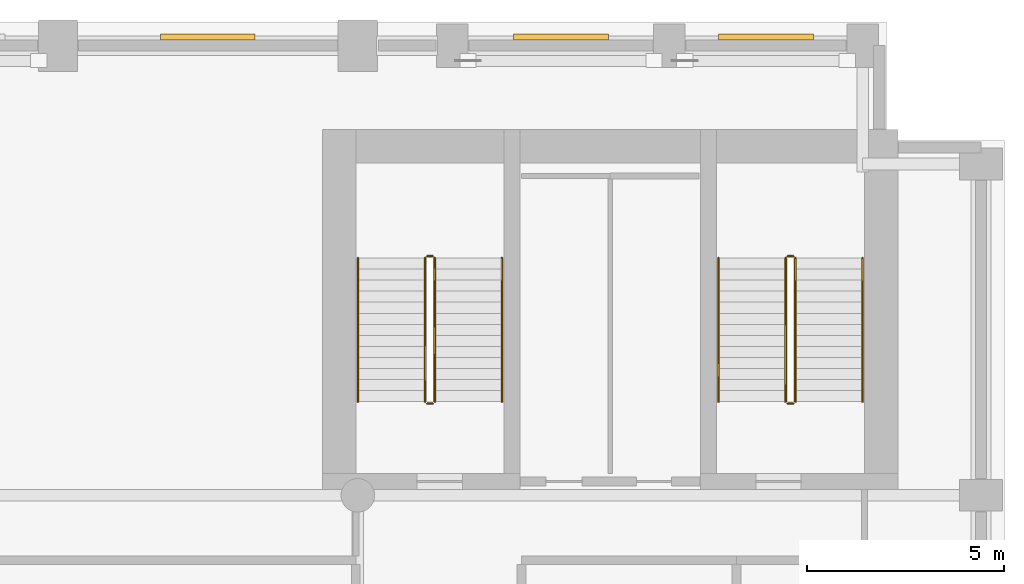
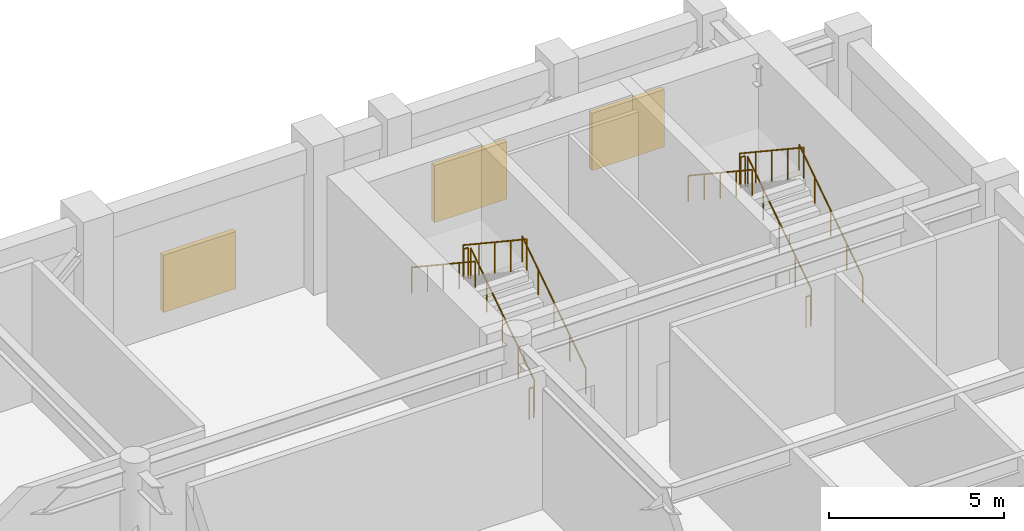
# One storey, part 11 of 11: 12 railings, 3 shading devices.
"""IFC4 building model written with IfcOpenShell, lengths in metres."""

from ifc_helpers import new_model, si_unit, direction, frame, origin, origin_2d, place, context, subcontext, project, spatial, rectangle, circle, extrude, material, type_object, element, save


model = new_model("IFC4")

# Units and contexts
model_context = context("Model", 3, precision=1e-05, world=origin(), true_north=direction((0.0, 1.0)))
body_context = subcontext(model_context, "Body", "Model", "MODEL_VIEW")
ifc_project = project(units=[si_unit("LENGTHUNIT", "METRE"), si_unit("AREAUNIT", "SQUARE_METRE"), si_unit("VOLUMEUNIT", "CUBIC_METRE"), si_unit("PLANEANGLEUNIT", "RADIAN"), si_unit("MASSUNIT", "GRAM", prefix="KILO")], contexts=[model_context])

# Site, building, storey
site_placement = place(None, origin())
site = spatial("IfcSite", under=ifc_project, at=site_placement, CompositionType="ELEMENT")
building_placement = place(site_placement, origin())
building = spatial("IfcBuilding", under=site, at=building_placement, Name="Sulina Concourse Tower", CompositionType="ELEMENT")
storey_placement = place(building_placement, frame((0.0, 0.0, 160.60009765625)))
storey = spatial("IfcBuildingStorey", under=building, at=storey_placement, Name="L39", CompositionType="ELEMENT", Elevation=160.60009765625)

# Railings
ifc_material_1 = material(Name="Galvanised steel railing", Category="steel")
railing_type_1 = type_object("IfcRailingType", Name="Core Stair Steel Guardrail 1150mm", PredefinedType="GUARDRAIL", material=ifc_material_1)
railing_1_placement = place(storey_placement, frame((43.554931640625, 36.375, 0.185546875)))
element("IfcRailing", 1, at=railing_1_placement, inside=storey, type_object=railing_type_1, Name="L39 ST-3 stair guard 1", PredefinedType="GUARDRAIL", context=body_context, shape_type="SweptSolid", body=[
    extrude(circle(Radius=0.02392578125, at=origin_2d()), frame((0.0, 0.0, 1.076171875), z_axis=(0.0, 0.833346510843, 0.552750932036), x_axis=(-1.0, 0.0, 0.0)), (0.0, 0.0, 1.0), 4.367919921875),
    extrude(circle(Radius=0.02099609375, at=origin_2d()), origin(), (0.0, 0.0, 1.0), 1.052001953125),
    extrude(circle(Radius=0.02099609375, at=origin_2d()), frame((0.0, 0.909912109375, 0.603515625)), (0.0, 0.0, 1.0), 1.052001953125),
    extrude(circle(Radius=0.02099609375, at=origin_2d()), frame((0.0, 1.81982421875, 1.20703125)), (0.0, 0.0, 1.0), 1.052001953125),
    extrude(circle(Radius=0.02099609375, at=origin_2d()), frame((0.0, 2.72998046875, 1.810791015625)), (0.0, 0.0, 1.0), 1.052001953125),
    extrude(circle(Radius=0.02099609375, at=origin_2d()), frame((0.0, 3.639892578125, 2.414306640625)), (0.0, 0.0, 1.0), 1.052001953125),
])
railing_2_placement = place(storey_placement, frame((43.5048828125, 40.06494140625, 2.599853515625)))
element("IfcRailing", 2, at=railing_2_placement, inside=storey, type_object=railing_type_1, Name="L39 ST-3 stair guard 2", PredefinedType="GUARDRAIL", context=body_context, shape_type="SweptSolid", body=[
    extrude(circle(Radius=0.02392578125, at=origin_2d()), frame((0.0, 0.0, 1.076171875), z_axis=(-1.0, 0.0, 0.0), x_axis=(0.0, -1.0, 0.0)), (0.0, 0.0, 1.0), 0.14990234375),
    extrude(circle(Radius=0.02099609375, at=origin_2d()), origin(), (0.0, 0.0, 1.0), 1.052001953125),
    extrude(circle(Radius=0.02099609375, at=origin_2d()), frame((-0.14990234375, 0.0, 0.0)), (0.0, 0.0, 1.0), 1.052001953125),
])
railing_3_placement = place(storey_placement, frame((43.304931640625, 40.014892578125, 2.78564453125)))
element("IfcRailing", 3, at=railing_3_placement, inside=storey, type_object=railing_type_1, Name="L39 ST-3 stair guard 3", PredefinedType="GUARDRAIL", context=body_context, shape_type="SweptSolid", body=[
    extrude(circle(Radius=0.02392578125, at=origin_2d()), frame((0.0, 0.0, 1.076171875), z_axis=(0.0, -0.833346510843, 0.552750932036), x_axis=(1.0, 0.0, 0.0)), (0.0, 0.0, 1.0), 4.367919921875),
    extrude(circle(Radius=0.02099609375, at=origin_2d()), origin(), (0.0, 0.0, 1.0), 1.052001953125),
    extrude(circle(Radius=0.02099609375, at=origin_2d()), frame((0.0, -0.909912109375, 0.603515625)), (0.0, 0.0, 1.0), 1.052001953125),
    extrude(circle(Radius=0.02099609375, at=origin_2d()), frame((0.0, -1.81982421875, 1.20703125)), (0.0, 0.0, 1.0), 1.052001953125),
    extrude(circle(Radius=0.02099609375, at=origin_2d()), frame((0.0, -2.72998046875, 1.810791015625)), (0.0, 0.0, 1.0), 1.052001953125),
    extrude(circle(Radius=0.02099609375, at=origin_2d()), frame((0.0, -3.639892578125, 2.414306640625)), (0.0, 0.0, 1.0), 1.052001953125),
])
railing_4_placement = place(storey_placement, frame((43.5048828125, 36.324951171875, 0.0)))
element("IfcRailing", 4, at=railing_4_placement, inside=storey, type_object=railing_type_1, Name="L39 ST-3 stair guard 4", PredefinedType="GUARDRAIL", context=body_context, shape_type="SweptSolid", body=[
    extrude(circle(Radius=0.02392578125, at=origin_2d()), frame((0.0, 0.0, 1.076171875), z_axis=(-1.0, 0.0, 0.0), x_axis=(0.0, -1.0, 0.0)), (0.0, 0.0, 1.0), 0.14990234375),
    extrude(circle(Radius=0.02099609375, at=origin_2d()), origin(), (0.0, 0.0, 1.0), 1.052001953125),
    extrude(circle(Radius=0.02099609375, at=origin_2d()), frame((-0.14990234375, 0.0, 0.0)), (0.0, 0.0, 1.0), 1.052001953125),
])
railing_5_placement = place(storey_placement, frame((52.695068359375, 36.375, 0.185546875)))
element("IfcRailing", 5, at=railing_5_placement, inside=storey, type_object=railing_type_1, Name="L39 ST-4 stair guard 1", PredefinedType="GUARDRAIL", context=body_context, shape_type="SweptSolid", body=[
    extrude(circle(Radius=0.02392578125, at=origin_2d()), frame((0.0, 0.0, 1.076171875), z_axis=(0.0, 0.833346510843, 0.552750932036), x_axis=(-1.0, 0.0, 0.0)), (0.0, 0.0, 1.0), 4.367919921875),
    extrude(circle(Radius=0.02099609375, at=origin_2d()), origin(), (0.0, 0.0, 1.0), 1.052001953125),
    extrude(circle(Radius=0.02099609375, at=origin_2d()), frame((0.0, 0.909912109375, 0.603515625)), (0.0, 0.0, 1.0), 1.052001953125),
    extrude(circle(Radius=0.02099609375, at=origin_2d()), frame((0.0, 1.81982421875, 1.20703125)), (0.0, 0.0, 1.0), 1.052001953125),
    extrude(circle(Radius=0.02099609375, at=origin_2d()), frame((0.0, 2.72998046875, 1.810791015625)), (0.0, 0.0, 1.0), 1.052001953125),
    extrude(circle(Radius=0.02099609375, at=origin_2d()), frame((0.0, 3.639892578125, 2.414306640625)), (0.0, 0.0, 1.0), 1.052001953125),
])
railing_6_placement = place(storey_placement, frame((52.64501953125, 40.06494140625, 2.599853515625)))
element("IfcRailing", 6, at=railing_6_placement, inside=storey, type_object=railing_type_1, Name="L39 ST-4 stair guard 2", PredefinedType="GUARDRAIL", context=body_context, shape_type="SweptSolid", body=[
    extrude(circle(Radius=0.02392578125, at=origin_2d()), frame((0.0, 0.0, 1.076171875), z_axis=(-1.0, 0.0, 0.0), x_axis=(0.0, -1.0, 0.0)), (0.0, 0.0, 1.0), 0.14990234375),
    extrude(circle(Radius=0.02099609375, at=origin_2d()), origin(), (0.0, 0.0, 1.0), 1.052001953125),
    extrude(circle(Radius=0.02099609375, at=origin_2d()), frame((-0.14990234375, 0.0, 0.0)), (0.0, 0.0, 1.0), 1.052001953125),
])
railing_7_placement = place(storey_placement, frame((52.445068359375, 40.014892578125, 2.78564453125)))
element("IfcRailing", 7, at=railing_7_placement, inside=storey, type_object=railing_type_1, Name="L39 ST-4 stair guard 3", PredefinedType="GUARDRAIL", context=body_context, shape_type="SweptSolid", body=[
    extrude(circle(Radius=0.02392578125, at=origin_2d()), frame((0.0, 0.0, 1.076171875), z_axis=(0.0, -0.833346510843, 0.552750932036), x_axis=(1.0, 0.0, 0.0)), (0.0, 0.0, 1.0), 4.367919921875),
    extrude(circle(Radius=0.02099609375, at=origin_2d()), origin(), (0.0, 0.0, 1.0), 1.052001953125),
    extrude(circle(Radius=0.02099609375, at=origin_2d()), frame((0.0, -0.909912109375, 0.603515625)), (0.0, 0.0, 1.0), 1.052001953125),
    extrude(circle(Radius=0.02099609375, at=origin_2d()), frame((0.0, -1.81982421875, 1.20703125)), (0.0, 0.0, 1.0), 1.052001953125),
    extrude(circle(Radius=0.02099609375, at=origin_2d()), frame((0.0, -2.72998046875, 1.810791015625)), (0.0, 0.0, 1.0), 1.052001953125),
    extrude(circle(Radius=0.02099609375, at=origin_2d()), frame((0.0, -3.639892578125, 2.414306640625)), (0.0, 0.0, 1.0), 1.052001953125),
])
railing_8_placement = place(storey_placement, frame((52.64501953125, 36.324951171875, 0.0)))
element("IfcRailing", 8, at=railing_8_placement, inside=storey, type_object=railing_type_1, Name="L39 ST-4 stair guard 4", PredefinedType="GUARDRAIL", context=body_context, shape_type="SweptSolid", body=[
    extrude(circle(Radius=0.02392578125, at=origin_2d()), frame((0.0, 0.0, 1.076171875), z_axis=(-1.0, 0.0, 0.0), x_axis=(0.0, -1.0, 0.0)), (0.0, 0.0, 1.0), 0.14990234375),
    extrude(circle(Radius=0.02099609375, at=origin_2d()), origin(), (0.0, 0.0, 1.0), 1.052001953125),
    extrude(circle(Radius=0.02099609375, at=origin_2d()), frame((-0.14990234375, 0.0, 0.0)), (0.0, 0.0, 1.0), 1.052001953125),
])

# Shading devices
ifc_material_2 = material(Name="Anodised bronze aluminium", Category="aluminium")
shading_device_type = type_object("IfcShadingDeviceType", Name="Plant Room Acoustic Weather Louvre Bank", PredefinedType="JALOUSIE", material=ifc_material_2)
for number, where, z_axis, x_axis, name in (
    (9, (37.800048828125, 45.6201171875, 0.5), (0.0, 0.0, 1.0), (1.0, 0.0, 0.0), "L39 acoustic weather louvre N7"),
    (10, (46.75, 45.6201171875, 0.5), (0.0, 0.0, 1.0), (1.0, 0.0, 0.0), "L39 acoustic weather louvre N9"),
    (11, (51.949951171875, 45.6201171875, 0.5), (0.0, 0.0, 1.0), (1.0, 0.0, 0.0), "L39 acoustic weather louvre N10"),
):
    element("IfcShadingDevice", number, at=place(storey_placement, frame(where, z_axis=z_axis, x_axis=x_axis)), inside=storey, type_object=shading_device_type, Name=name, PredefinedType="JALOUSIE", context=body_context, shape_type="SweptSolid", body=[
        extrude(rectangle(XDim=2.39990234375, YDim=0.159912109375, at=origin_2d()), origin(), (0.0, 0.0, 1.0), 2.0),
    ])

# Railings
ifc_material_3 = material(Name="Galvanised steel railing", Category="steel")
railing_type_2 = type_object("IfcRailingType", Name="Stair Wall Steel Handrail 920mm", PredefinedType="HANDRAIL", material=ifc_material_3)
railing_9_placement = place(storey_placement, frame((45.2548828125, 36.375, 0.185546875)))
element("IfcRailing", 12, at=railing_9_placement, inside=storey, type_object=railing_type_2, Name="L39 ST-3 stair handrail 1", PredefinedType="HANDRAIL", context=body_context, shape_type="SweptSolid", body=[
    extrude(circle(Radius=0.02392578125, at=origin_2d()), frame((0.0, 0.0, 0.89599609375), z_axis=(0.0, 0.833346510843, 0.552750932036), x_axis=(-1.0, 0.0, 0.0)), (0.0, 0.0, 1.0), 4.367919921875),
    extrude(circle(Radius=0.02099609375, at=origin_2d()), origin(), (0.0, 0.0, 1.0), 0.871826171875),
    extrude(circle(Radius=0.02099609375, at=origin_2d()), frame((0.0, 0.909912109375, 0.603515625)), (0.0, 0.0, 1.0), 0.871826171875),
    extrude(circle(Radius=0.02099609375, at=origin_2d()), frame((0.0, 1.81982421875, 1.20703125)), (0.0, 0.0, 1.0), 0.871826171875),
    extrude(circle(Radius=0.02099609375, at=origin_2d()), frame((0.0, 2.72998046875, 1.810791015625)), (0.0, 0.0, 1.0), 0.871826171875),
    extrude(circle(Radius=0.02099609375, at=origin_2d()), frame((0.0, 3.639892578125, 2.414306640625)), (0.0, 0.0, 1.0), 0.871826171875),
])
railing_10_placement = place(storey_placement, frame((41.60498046875, 40.014892578125, 2.78564453125)))
element("IfcRailing", 13, at=railing_10_placement, inside=storey, type_object=railing_type_2, Name="L39 ST-3 stair handrail 2", PredefinedType="HANDRAIL", context=body_context, shape_type="SweptSolid", body=[
    extrude(circle(Radius=0.02392578125, at=origin_2d()), frame((0.0, 0.0, 0.89599609375), z_axis=(0.0, -0.833346510843, 0.552750932036), x_axis=(1.0, 0.0, 0.0)), (0.0, 0.0, 1.0), 4.367919921875),
    extrude(circle(Radius=0.02099609375, at=origin_2d()), origin(), (0.0, 0.0, 1.0), 0.871826171875),
    extrude(circle(Radius=0.02099609375, at=origin_2d()), frame((0.0, -0.909912109375, 0.603515625)), (0.0, 0.0, 1.0), 0.871826171875),
    extrude(circle(Radius=0.02099609375, at=origin_2d()), frame((0.0, -1.81982421875, 1.20703125)), (0.0, 0.0, 1.0), 0.871826171875),
    extrude(circle(Radius=0.02099609375, at=origin_2d()), frame((0.0, -2.72998046875, 1.810791015625)), (0.0, 0.0, 1.0), 0.871826171875),
    extrude(circle(Radius=0.02099609375, at=origin_2d()), frame((0.0, -3.639892578125, 2.414306640625)), (0.0, 0.0, 1.0), 0.871826171875),
])
railing_11_placement = place(storey_placement, frame((54.39501953125, 36.375, 0.185546875)))
element("IfcRailing", 14, at=railing_11_placement, inside=storey, type_object=railing_type_2, Name="L39 ST-4 stair handrail 1", PredefinedType="HANDRAIL", context=body_context, shape_type="SweptSolid", body=[
    extrude(circle(Radius=0.02392578125, at=origin_2d()), frame((0.0, 0.0, 0.89599609375), z_axis=(0.0, 0.833346510843, 0.552750932036), x_axis=(-1.0, 0.0, 0.0)), (0.0, 0.0, 1.0), 4.367919921875),
    extrude(circle(Radius=0.02099609375, at=origin_2d()), origin(), (0.0, 0.0, 1.0), 0.871826171875),
    extrude(circle(Radius=0.02099609375, at=origin_2d()), frame((0.0, 0.909912109375, 0.603515625)), (0.0, 0.0, 1.0), 0.871826171875),
    extrude(circle(Radius=0.02099609375, at=origin_2d()), frame((0.0, 1.81982421875, 1.20703125)), (0.0, 0.0, 1.0), 0.871826171875),
    extrude(circle(Radius=0.02099609375, at=origin_2d()), frame((0.0, 2.72998046875, 1.810791015625)), (0.0, 0.0, 1.0), 0.871826171875),
    extrude(circle(Radius=0.02099609375, at=origin_2d()), frame((0.0, 3.639892578125, 2.414306640625)), (0.0, 0.0, 1.0), 0.871826171875),
])
railing_12_placement = place(storey_placement, frame((50.7451171875, 40.014892578125, 2.78564453125)))
element("IfcRailing", 15, at=railing_12_placement, inside=storey, type_object=railing_type_2, Name="L39 ST-4 stair handrail 2", PredefinedType="HANDRAIL", context=body_context, shape_type="SweptSolid", body=[
    extrude(circle(Radius=0.02392578125, at=origin_2d()), frame((0.0, 0.0, 0.89599609375), z_axis=(0.0, -0.833346510843, 0.552750932036), x_axis=(1.0, 0.0, 0.0)), (0.0, 0.0, 1.0), 4.367919921875),
    extrude(circle(Radius=0.02099609375, at=origin_2d()), origin(), (0.0, 0.0, 1.0), 0.871826171875),
    extrude(circle(Radius=0.02099609375, at=origin_2d()), frame((0.0, -0.909912109375, 0.603515625)), (0.0, 0.0, 1.0), 0.871826171875),
    extrude(circle(Radius=0.02099609375, at=origin_2d()), frame((0.0, -1.81982421875, 1.20703125)), (0.0, 0.0, 1.0), 0.871826171875),
    extrude(circle(Radius=0.02099609375, at=origin_2d()), frame((0.0, -2.72998046875, 1.810791015625)), (0.0, 0.0, 1.0), 0.871826171875),
    extrude(circle(Radius=0.02099609375, at=origin_2d()), frame((0.0, -3.639892578125, 2.414306640625)), (0.0, 0.0, 1.0), 0.871826171875),
])

save(model, "model.ifc")
